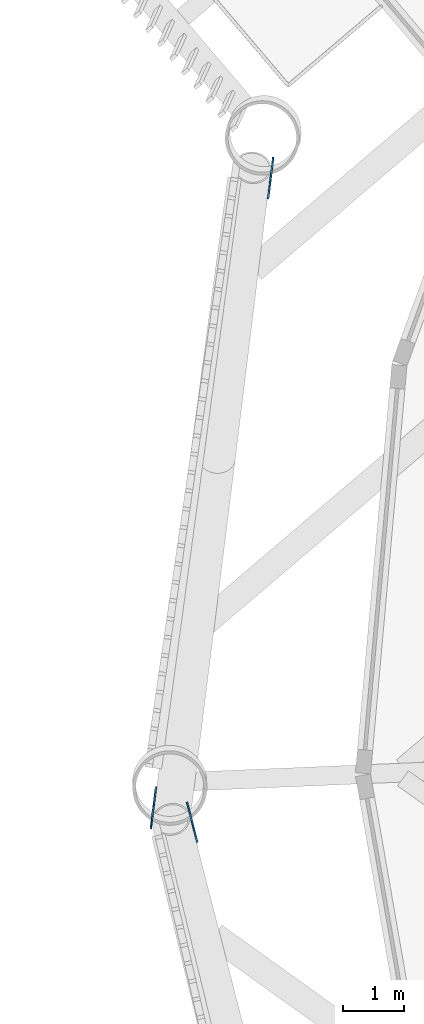
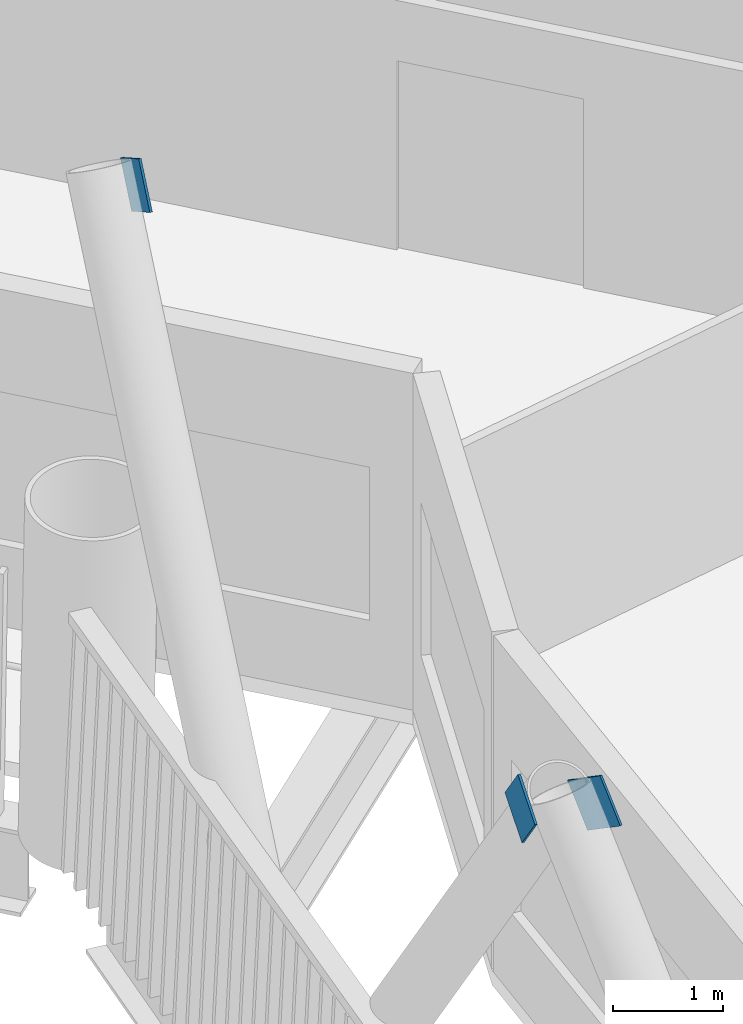
# One storey, part 13 of 21: 3 discrete accessories.
"""IFC4 building model written with IfcOpenShell, lengths in metres."""

from ifc_helpers import new_model, si_unit, direction, frame, origin, origin_2d, place, context, subcontext, project, spatial, rectangle, extrude, material, material_profile, profile_set, type_object, element, save


model = new_model("IFC4")

# Units and contexts
model_context = context("Model", 3, precision=1e-05, world=origin(), true_north=direction((0.0, 1.0)))
body_context = subcontext(model_context, "Body", "Model", "MODEL_VIEW")
ifc_project = project(units=[si_unit("LENGTHUNIT", "METRE"), si_unit("AREAUNIT", "SQUARE_METRE"), si_unit("VOLUMEUNIT", "CUBIC_METRE"), si_unit("PLANEANGLEUNIT", "RADIAN"), si_unit("MASSUNIT", "GRAM", prefix="KILO")], contexts=[model_context])

# Site, building, storey
site_placement = place(None, origin())
site = spatial("IfcSite", under=ifc_project, at=site_placement, CompositionType="ELEMENT")
building_placement = place(site_placement, origin())
building = spatial("IfcBuilding", under=site, at=building_placement, Name="Tarsis Ring Headquarters", CompositionType="ELEMENT")
storey_placement = place(building_placement, frame((0.0, 0.0, 47.800048828125)))
storey = spatial("IfcBuildingStorey", under=building, at=storey_placement, Name="L09", CompositionType="ELEMENT", Elevation=47.800048828125)

# Discrete accessories
ifc_material = material(Name="Structural steel S355", Category="steel")
ifc_material_profile = material_profile(ifc_material, rectangle(XDim=0.02490234375, YDim=0.5, at=origin_2d()), Name="PL 25x500")
ifc_profile_set = profile_set([ifc_material_profile], Name="Structural steel S355")
discrete_accessory_type = type_object("IfcDiscreteAccessoryType", Name="Gusset plate Exo brace 25", PredefinedType="BRACKET", material=ifc_profile_set)
discrete_accessory_placement = place(storey_placement, frame((-28.683837890625, -1.745361328125, 7.800048828125), z_axis=(0.12984548303, -0.506690268364, -0.852294035226), x_axis=(0.968698399629, 0.248240630348, 0.0)))
element("IfcDiscreteAccessory", 1, at=discrete_accessory_placement, inside=storey, type_object=discrete_accessory_type, Name="Gusset plate GP5", PredefinedType="BRACKET", context=body_context, shape_type="SweptSolid", body=[
    extrude(rectangle(XDim=0.02490234375, YDim=0.5, at=origin_2d()), origin(), (0.0, 0.0, 1.0), 0.500244140625),
])
for number, where, z_axis, x_axis, name in (
    (2, (-29.305908203125, -1.784423828125, 7.800048828125), (0.075678947751, 0.603966828183, -0.793408323199), (-0.992240810905, 0.124330901932, 0.0), "Gusset plate GP5"),
    (3, (-27.34765625, 8.82666015625, 7.800048828125), (-0.063954613182, -0.518959952765, -0.852402706987), (0.992491842026, -0.122310847888, 0.0), "Gusset plate GP5"),
):
    element("IfcDiscreteAccessory", number, at=place(storey_placement, frame(where, z_axis=z_axis, x_axis=x_axis)), inside=storey, type_object=discrete_accessory_type, Name=name, PredefinedType="BRACKET", context=body_context, shape_type="SweptSolid", body=[
        extrude(rectangle(XDim=0.02490234375, YDim=0.5, at=origin_2d()), origin(), (0.0, 0.0, 1.0), 0.5),
    ])

save(model, "model.ifc")
